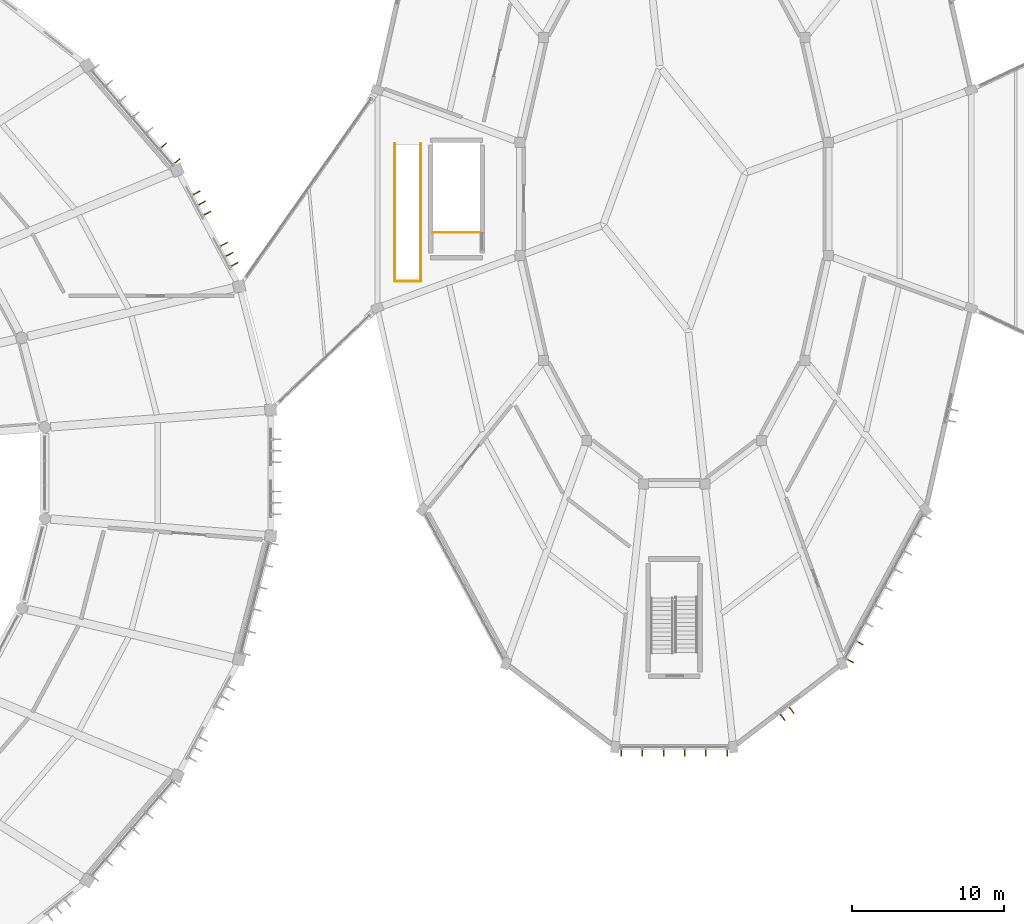
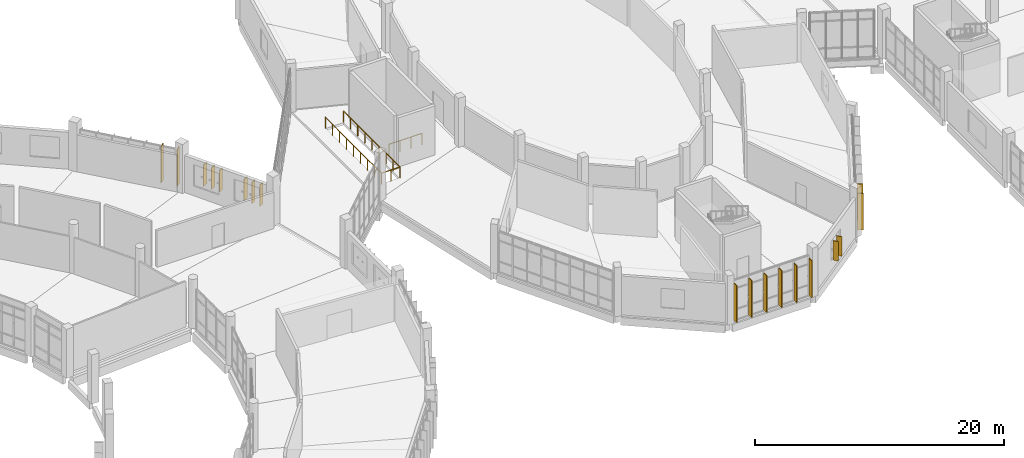
# One storey, part 164 of 179: 18 shading devices, 4 railings.
"""IFC4 building model written with IfcOpenShell, lengths in metres."""

from ifc_helpers import new_model, si_unit, direction, frame, origin, origin_2d, place, context, subcontext, project, spatial, rectangle, circle, extrude, material, layer, layer_set, type_object, element, save


model = new_model("IFC4")

# Units and contexts
model_context = context("Model", 3, precision=1e-05, world=origin(), true_north=direction((0.0, 1.0)))
body_context = subcontext(model_context, "Body", "Model", "MODEL_VIEW")
ifc_project = project(units=[si_unit("LENGTHUNIT", "METRE"), si_unit("AREAUNIT", "SQUARE_METRE"), si_unit("VOLUMEUNIT", "CUBIC_METRE"), si_unit("PLANEANGLEUNIT", "RADIAN"), si_unit("MASSUNIT", "GRAM", prefix="KILO")], contexts=[model_context])

# Site, building, storey
site_placement = place(None, origin())
site = spatial("IfcSite", under=ifc_project, at=site_placement, CompositionType="ELEMENT")
building_placement = place(site_placement, origin())
building = spatial("IfcBuilding", under=site, at=building_placement, Name="Corvandel Quay Wholesale Market", CompositionType="ELEMENT")
storey_placement = place(building_placement, frame((0.0, 0.0, 6.0)))
storey = spatial("IfcBuildingStorey", under=building, at=storey_placement, Name="L01", CompositionType="ELEMENT", Elevation=6.0)

# Railings
ifc_material_1 = material(Name="Painted galvanised tubular steel", Category="steel")
ifc_layer = layer(ifc_material_1, 0.054931640625)
ifc_layer_set = layer_set([ifc_layer], Name="Painted galvanised tubular steel")
railing_type = type_object("IfcRailingType", Name="Stairwell Inner Guard Railing GR02 1100mm", PredefinedType="GUARDRAIL", material=ifc_layer_set)
railing_1_placement = place(storey_placement, frame((178.669921875, 57.800048828125, 0.0)))
element("IfcRailing", 1, at=railing_1_placement, inside=storey, type_object=railing_type, Name="Stair Top Well Guard SH10-L01", PredefinedType="GUARDRAIL", context=body_context, shape_type="SweptSolid", body=[
    extrude(circle(Radius=0.02392578125, at=origin_2d()), frame((0.0, 0.0, 1.076171875), z_axis=(1.0, 0.0, 0.0), x_axis=(0.0, 1.0, 0.0)), (0.0, 0.0, 1.0), 3.06005859375),
    extrude(circle(Radius=0.02099609375, at=origin_2d()), origin(), (0.0, 0.0, 1.0), 1.052001953125),
    extrude(circle(Radius=0.02099609375, at=origin_2d()), frame((1.02001953125, 0.0, 0.0)), (0.0, 0.0, 1.0), 1.052001953125),
    extrude(circle(Radius=0.02099609375, at=origin_2d()), frame((2.0400390625, 0.0, 0.0)), (0.0, 0.0, 1.0), 1.052001953125),
    extrude(circle(Radius=0.02099609375, at=origin_2d()), frame((3.06005859375, 0.0, 0.0)), (0.0, 0.0, 1.0), 1.052001953125),
])
for number, where, name in (
    (2, (176.14990234375, 54.60009765625, 0.0), "Feature Stair Well Guard 0233"),
    (3, (177.85009765625, 54.60009765625, 0.0), "Feature Stair Well Guard 0234"),
):
    element("IfcRailing", number, at=place(storey_placement, frame(where)), inside=storey, type_object=railing_type, Name=name, PredefinedType="GUARDRAIL", context=body_context, shape_type="SweptSolid", body=[
        extrude(circle(Radius=0.02392578125, at=origin_2d()), frame((0.0, 0.0, 1.076171875), z_axis=(0.0, 1.0, 0.0), x_axis=(-1.0, 0.0, 0.0)), (0.0, 0.0, 1.0), 9.02978515625),
        extrude(circle(Radius=0.02099609375, at=origin_2d()), origin(), (0.0, 0.0, 1.0), 1.052001953125),
        extrude(circle(Radius=0.02099609375, at=origin_2d()), frame((0.0, 1.128662109375, 0.0)), (0.0, 0.0, 1.0), 1.052001953125),
        extrude(circle(Radius=0.02099609375, at=origin_2d()), frame((0.0, 2.25732421875, 0.0)), (0.0, 0.0, 1.0), 1.052001953125),
        extrude(circle(Radius=0.02099609375, at=origin_2d()), frame((0.0, 3.38623046875, 0.0)), (0.0, 0.0, 1.0), 1.052001953125),
        extrude(circle(Radius=0.02099609375, at=origin_2d()), frame((0.0, 4.514892578125, 0.0)), (0.0, 0.0, 1.0), 1.052001953125),
        extrude(circle(Radius=0.02099609375, at=origin_2d()), frame((0.0, 5.6435546875, 0.0)), (0.0, 0.0, 1.0), 1.052001953125),
        extrude(circle(Radius=0.02099609375, at=origin_2d()), frame((0.0, 6.7724609375, 0.0)), (0.0, 0.0, 1.0), 1.052001953125),
        extrude(circle(Radius=0.02099609375, at=origin_2d()), frame((0.0, 7.901123046875, 0.0)), (0.0, 0.0, 1.0), 1.052001953125),
        extrude(circle(Radius=0.02099609375, at=origin_2d()), frame((0.0, 9.02978515625, 0.0)), (0.0, 0.0, 1.0), 1.052001953125),
    ])
railing_2_placement = place(storey_placement, frame((176.14990234375, 54.60009765625, 0.0)))
element("IfcRailing", 4, at=railing_2_placement, inside=storey, type_object=railing_type, Name="Feature Stair Well Guard 0235", PredefinedType="GUARDRAIL", context=body_context, shape_type="SweptSolid", body=[
    extrude(circle(Radius=0.02392578125, at=origin_2d()), frame((0.0, 0.0, 1.076171875), z_axis=(1.0, 0.0, 0.0), x_axis=(0.0, 1.0, 0.0)), (0.0, 0.0, 1.0), 1.7001953125),
    extrude(circle(Radius=0.02099609375, at=origin_2d()), origin(), (0.0, 0.0, 1.0), 1.052001953125),
    extrude(circle(Radius=0.02099609375, at=origin_2d()), frame((0.85009765625, 0.0, 0.0)), (0.0, 0.0, 1.0), 1.052001953125),
    extrude(circle(Radius=0.02099609375, at=origin_2d()), frame((1.7001953125, 0.0, 0.0)), (0.0, 0.0, 1.0), 1.052001953125),
])

# Shading devices
ifc_material_2 = material(Name="Bronze anodised extruded aluminium 6063-T6", Category="aluminium")
shading_device_type = type_object("IfcShadingDeviceType", Name="Vertical Anodised Bronze Solar Fin FN01 480mm", PredefinedType="JALOUSIE", material=ifc_material_2)
for number, where, z_axis, x_axis, name in (
    (5, (165.645751953125, 55.711181640625, 0.949951171875), (0.0, 0.0, 1.0), (0.882619624736, 0.470087862033, 0.0), "Solar Fin 0007"),
    (6, (165.293212890625, 56.373046875, 0.949951171875), (0.0, 0.0, 1.0), (0.882619624736, 0.470087862033, 0.0), "Solar Fin 0008"),
    (7, (164.940673828125, 57.034912109375, 0.949951171875), (0.0, 0.0, 1.0), (0.882619624736, 0.470087862033, 0.0), "Solar Fin 0009"),
    (8, (163.849853515625, 59.082763671875, 0.949951171875), (0.0, 0.0, 1.0), (0.882619624736, 0.470087862033, 0.0), "Solar Fin 0010"),
    (9, (163.497314453125, 59.74462890625, 0.949951171875), (0.0, 0.0, 1.0), (0.882619624736, 0.470087862033, 0.0), "Solar Fin 0011"),
    (10, (163.144775390625, 60.406494140625, 0.949951171875), (0.0, 0.0, 1.0), (0.882619624736, 0.470087862033, 0.0), "Solar Fin 0012"),
):
    element("IfcShadingDevice", number, at=place(storey_placement, frame(where, z_axis=z_axis, x_axis=x_axis)), inside=storey, type_object=shading_device_type, Name=name, PredefinedType="JALOUSIE", context=body_context, shape_type="SweptSolid", body=[
        extrude(rectangle(XDim=0.47998046875, YDim=0.06494140625, at=origin_2d()), origin(), (0.0, 0.0, 1.0), 2.10009765625),
    ])
for number, where, z_axis, x_axis, name in (
    (11, (161.84912109375, 62.48291015625, 0.175048828125), (0.0, 0.0, 1.0), (0.758589401976, 0.651568967347, 0.0), "Solar Fin 0019"),
    (12, (160.9619140625, 63.515625, 0.175048828125), (0.0, 0.0, 1.0), (0.758589401976, 0.651568967347, 0.0), "Solar Fin 0020"),
    (13, (191.02099609375, 23.6201171875, 0.175048828125), (0.0, 0.0, 1.0), (0.0, 1.0, 0.0), "Solar Fin 0471"),
    (14, (192.41259765625, 23.6201171875, 0.175048828125), (0.0, 0.0, 1.0), (0.0, 1.0, 0.0), "Solar Fin 0472"),
    (15, (193.80419921875, 23.6201171875, 0.175048828125), (0.0, 0.0, 1.0), (0.0, 1.0, 0.0), "Solar Fin 0473"),
    (16, (195.19580078125, 23.6201171875, 0.175048828125), (0.0, 0.0, 1.0), (0.0, 1.0, 0.0), "Solar Fin 0474"),
    (17, (196.58740234375, 23.6201171875, 0.175048828125), (0.0, 0.0, 1.0), (0.0, 1.0, 0.0), "Solar Fin 0475"),
    (18, (197.97900390625, 23.6201171875, 0.175048828125), (0.0, 0.0, 1.0), (0.0, 1.0, 0.0), "Solar Fin 0476"),
):
    element("IfcShadingDevice", number, at=place(storey_placement, frame(where, z_axis=z_axis, x_axis=x_axis)), inside=storey, type_object=shading_device_type, Name=name, PredefinedType="JALOUSIE", context=body_context, shape_type="SweptSolid", body=[
        extrude(rectangle(XDim=0.47998046875, YDim=0.06494140625, at=origin_2d()), origin(), (0.0, 0.0, 1.0), 3.60009765625),
    ])
for number, where, z_axis, x_axis, name in (
    (19, (201.6337890625, 25.935302734375, 1.0), (0.0, 0.0, 1.0), (-0.607514481979, 0.794308601354, 0.0), "Solar Fin 0486"),
    (20, (202.2294921875, 26.390869140625, 1.0), (0.0, 0.0, 1.0), (-0.607514481979, 0.794308601354, 0.0), "Solar Fin 0487"),
):
    element("IfcShadingDevice", number, at=place(storey_placement, frame(where, z_axis=z_axis, x_axis=x_axis)), inside=storey, type_object=shading_device_type, Name=name, PredefinedType="JALOUSIE", context=body_context, shape_type="SweptSolid", body=[
        extrude(rectangle(XDim=0.47998046875, YDim=0.06494140625, at=origin_2d()), origin(), (0.0, 0.0, 1.0), 1.89990234375),
    ])
for number, where, z_axis, x_axis, name in (
    (21, (206.070556640625, 29.651611328125, 0.175048828125), (0.0, 0.0, 1.0), (-0.879316310191, 0.476238203668, 0.0), "Solar Fin 0493"),
    (22, (206.70849609375, 30.82958984375, 0.175048828125), (0.0, 0.0, 1.0), (-0.879316310191, 0.476238203668, 0.0), "Solar Fin 0494"),
):
    element("IfcShadingDevice", number, at=place(storey_placement, frame(where, z_axis=z_axis, x_axis=x_axis)), inside=storey, type_object=shading_device_type, Name=name, PredefinedType="JALOUSIE", context=body_context, shape_type="SweptSolid", body=[
        extrude(rectangle(XDim=0.47998046875, YDim=0.06494140625, at=origin_2d()), origin(), (0.0, 0.0, 1.0), 3.60009765625),
    ])

save(model, "model.ifc")
